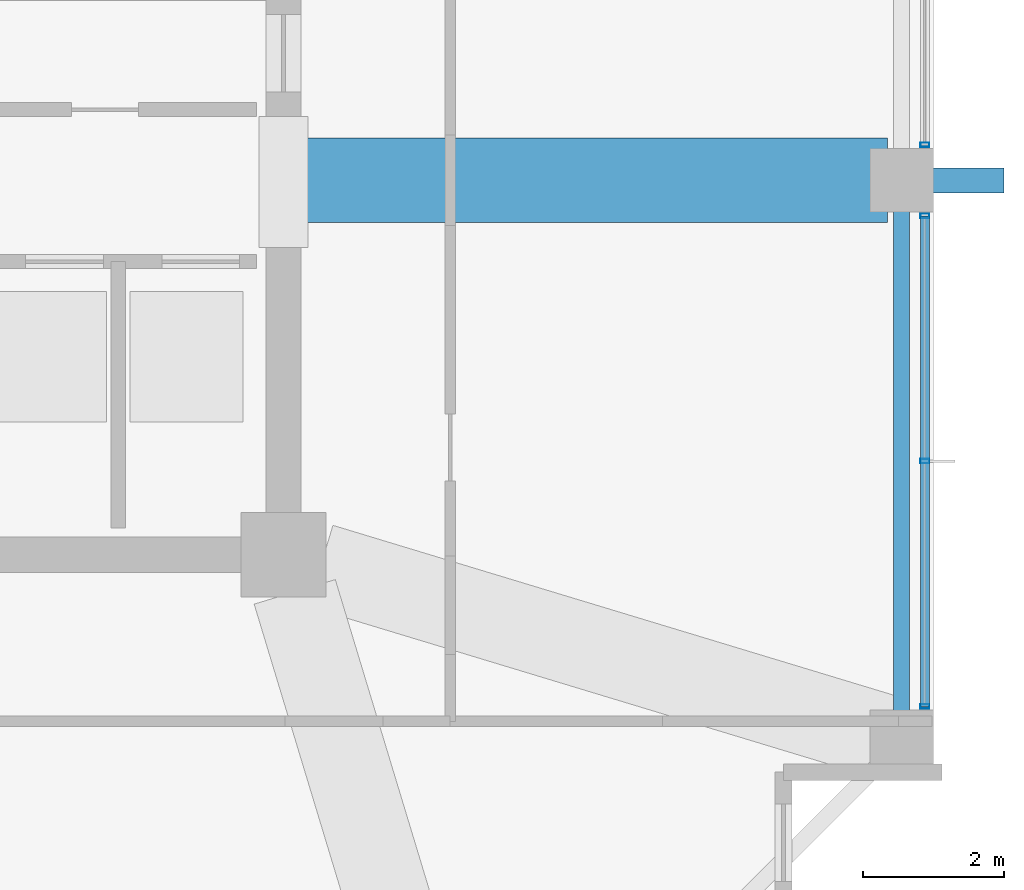
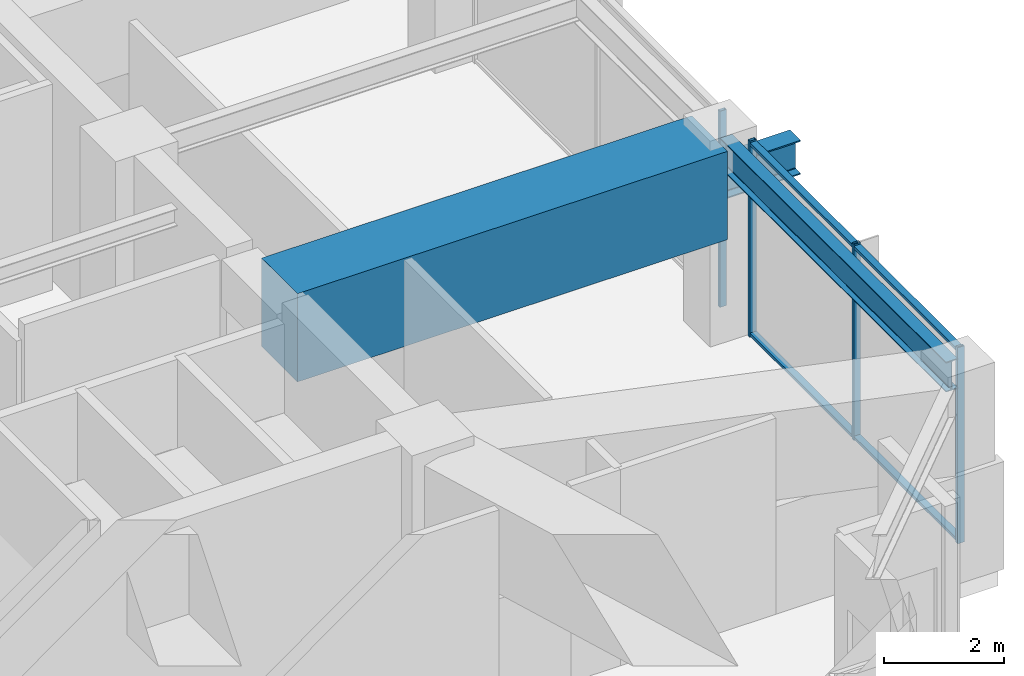
# One storey, part 12 of 33: 6 members, 3 beams, 2 elements without a shape of their own.
"""IFC4 building model written with IfcOpenShell, lengths in metres."""

from ifc_helpers import new_model, si_unit, direction, frame, origin, origin_2d, place, context, subcontext, project, spatial, rectangle, hollow_rectangle, i_section, extrude, material, material_profile, profile_set, type_object, element, aggregate, save


model = new_model("IFC4")

# Units and contexts
model_context = context("Model", 3, precision=1e-05, world=origin(), true_north=direction((0.0, 1.0)))
body_context = subcontext(model_context, "Body", "Model", "MODEL_VIEW")
ifc_project = project(units=[si_unit("LENGTHUNIT", "METRE"), si_unit("AREAUNIT", "SQUARE_METRE"), si_unit("VOLUMEUNIT", "CUBIC_METRE"), si_unit("PLANEANGLEUNIT", "RADIAN"), si_unit("MASSUNIT", "GRAM", prefix="KILO")], contexts=[model_context])

# Site, building, storey
site_placement = place(None, origin())
site = spatial("IfcSite", under=ifc_project, at=site_placement, CompositionType="ELEMENT")
building_placement = place(site_placement, origin())
building = spatial("IfcBuilding", under=site, at=building_placement, Name="Kolvaren Belvedere", CompositionType="ELEMENT")
storey_placement = place(building_placement, frame((0.0, 0.0, 152.699951171875)))
storey = spatial("IfcBuildingStorey", under=building, at=storey_placement, Name="L44", CompositionType="ELEMENT", Elevation=152.699951171875)

# Beams
ifc_material_1 = material(Name="Structural steel ASTM A992 Grade 50", Category="steel")
ifc_material_profile_1 = material_profile(ifc_material_1, i_section(OverallWidth=0.35498046875, OverallDepth=0.696044921875, WebThickness=0.015380859375, FlangeThickness=0.02490234375, FilletRadius=0.02197265625, at=origin_2d()), Name="W27X146")
ifc_profile_set_1 = profile_set([ifc_material_profile_1], Name="Structural steel ASTM A992 Grade 50")
beam_type_1 = type_object("IfcBeamType", Name="BM-CANT-BAL", PredefinedType="BEAM", material=ifc_profile_set_1)
beam_1_placement = place(storey_placement, frame((18.64990234375, -4.60009765625, 3.0419921875), z_axis=(1.0, 0.0, 0.0), x_axis=(0.0, 1.0, 0.0)))
element("IfcBeam", 1, at=beam_1_placement, inside=storey, type_object=beam_type_1, Name="L44 East Picture-Frame Column Corbel M", PredefinedType="BEAM", context=body_context, shape_type="SweptSolid", body=[
    extrude(i_section(OverallWidth=0.35498046875, OverallDepth=0.696044921875, WebThickness=0.015380859375, FlangeThickness=0.02490234375, FilletRadius=0.02197265625, at=origin_2d()), origin(), (0.0, 0.0, 1.0), 1.4501953125),
])
ifc_material_2 = material(Name="Structural steel ASTM A992 Grade 50", Category="steel")
ifc_material_profile_2 = material_profile(ifc_material_2, i_section(OverallWidth=0.22900390625, OverallDepth=0.612060546875, WebThickness=0.011962890625, FlangeThickness=0.01953125, FilletRadius=0.01806640625, at=origin_2d()), Name="W24X84")
ifc_profile_set_2 = profile_set([ifc_material_profile_2], Name="Structural steel ASTM A992 Grade 50")
beam_type_2 = type_object("IfcBeamType", Name="BM-SPAN-W24X84", PredefinedType="SPANDREL", material=ifc_profile_set_2)
beam_2_placement = place(storey_placement, frame((18.64990234375, -12.347412109375, 3.694091796875), z_axis=(0.0, 1.0, 0.0), x_axis=(-1.0, 0.0, 0.0)))
element("IfcBeam", 2, at=beam_2_placement, inside=storey, type_object=beam_type_2, Name="L44 Perimeter Spandrel E1-E2", PredefinedType="SPANDREL", context=body_context, shape_type="SweptSolid", body=[
    extrude(i_section(OverallWidth=0.22900390625, OverallDepth=0.612060546875, WebThickness=0.011962890625, FlangeThickness=0.01953125, FilletRadius=0.01806640625, at=origin_2d()), origin(), (0.0, 0.0, 1.0), 7.544921875),
])
ifc_material_3 = material(Name="Concrete C50/60", Category="concrete")
ifc_material_profile_3 = material_profile(ifc_material_3, rectangle(XDim=1.199951171875, YDim=1.800048828125, at=origin_2d()), Name="RC 1200X1800")
ifc_profile_set_3 = profile_set([ifc_material_profile_3], Name="Concrete C50/60")
beam_type_3 = type_object("IfcBeamType", Name="BM-TG-1800", PredefinedType="BEAM", material=ifc_profile_set_3)
beam_3_placement = place(storey_placement, frame((10.14990234375, -4.60009765625, 3.10009765625), z_axis=(1.0, 0.0, 0.0), x_axis=(0.0, 1.0, 0.0)))
element("IfcBeam", 3, at=beam_3_placement, inside=storey, type_object=beam_type_3, Name="L44 East Radial Girder M", PredefinedType="BEAM", context=body_context, shape_type="SweptSolid", body=[
    extrude(rectangle(XDim=1.199951171875, YDim=1.800048828125, at=origin_2d()), origin(), (0.0, 0.0, 1.0), 8.297607421875),
])

# Curtain wall, member
ifc_material_4 = material(Name="Anodised pale-metal aluminium AA 6063-T6", Category="aluminium")
curtain_wall_type = type_object("IfcCurtainWallType", Name="CW-Z3-WAIST", PredefinedType="NOTDEFINED", material=ifc_material_4)
curtain_wall_1_placement = place(storey_placement, origin())
curtain_wall_1 = element("IfcCurtainWall", 4, at=curtain_wall_1_placement, inside=storey, type_object=curtain_wall_type, Name="L44 Unitised Curtain Wall FCW-L44-E-B2", PredefinedType="NOTDEFINED")
ifc_material_5 = material(Name="Anodised pale-metal aluminium AA 6063-T6", Category="aluminium")
ifc_material_profile_4 = material_profile(ifc_material_5, hollow_rectangle(XDim=0.06494140625, YDim=0.1298828125, WallThickness=0.00390625, at=origin_2d()), Name="ALU-MUL-130X65")
ifc_profile_set_4 = profile_set([ifc_material_profile_4], Name="Anodised pale-metal aluminium AA 6063-T6")
member_type_1 = type_object("IfcMemberType", Name="CW-MUL-130", PredefinedType="MULLION", material=ifc_profile_set_4)
member_1_placement = place(storey_placement, frame((18.97998046875, -4.097412109375, 0.0), z_axis=(0.0, 0.0, 1.0), x_axis=(0.0, 1.0, 0.0)))
member_1 = element("IfcMember", 5, at=member_1_placement, type_object=member_type_1, Name="FCW-L44-E-B2 Unitised Mullion 3", PredefinedType="MULLION", context=body_context, shape_type="SweptSolid", body=[
    extrude(hollow_rectangle(XDim=0.06494140625, YDim=0.1298828125, WallThickness=0.00390625, at=origin_2d()), origin(), (0.0, 0.0, 1.0), 4.0),
])
aggregate(curtain_wall_1, [member_1])

# Curtain wall, members
curtain_wall_2_placement = place(storey_placement, origin())
curtain_wall_2 = element("IfcCurtainWall", 6, at=curtain_wall_2_placement, inside=storey, type_object=curtain_wall_type, Name="L44 Unitised Curtain Wall FCW-L44-E-B3", PredefinedType="NOTDEFINED")
member_2_placement = place(storey_placement, frame((18.97998046875, -5.1025390625, 0.0), z_axis=(0.0, 0.0, 1.0), x_axis=(0.0, 1.0, 0.0)))
member_2 = element("IfcMember", 7, at=member_2_placement, type_object=member_type_1, Name="FCW-L44-E-B3 Unitised Mullion 1", PredefinedType="MULLION", context=body_context, shape_type="SweptSolid", body=[
    extrude(hollow_rectangle(XDim=0.06494140625, YDim=0.1298828125, WallThickness=0.00390625, at=origin_2d()), origin(), (0.0, 0.0, 1.0), 4.0),
])
member_3_placement = place(storey_placement, frame((18.97998046875, -8.574951171875, 0.0), z_axis=(0.0, 0.0, 1.0), x_axis=(0.0, 1.0, 0.0)))
member_3 = element("IfcMember", 8, at=member_3_placement, type_object=member_type_1, Name="FCW-L44-E-B3 Unitised Mullion 2", PredefinedType="MULLION", context=body_context, shape_type="SweptSolid", body=[
    extrude(hollow_rectangle(XDim=0.06494140625, YDim=0.1298828125, WallThickness=0.00390625, at=origin_2d()), origin(), (0.0, 0.0, 1.0), 4.0),
])
member_4_placement = place(storey_placement, frame((18.97998046875, -12.047607421875, 0.0), z_axis=(0.0, 0.0, 1.0), x_axis=(0.0, 1.0, 0.0)))
member_4 = element("IfcMember", 9, at=member_4_placement, type_object=member_type_1, Name="FCW-L44-E-B3 Unitised Mullion 3", PredefinedType="MULLION", context=body_context, shape_type="SweptSolid", body=[
    extrude(hollow_rectangle(XDim=0.06494140625, YDim=0.1298828125, WallThickness=0.00390625, at=origin_2d()), origin(), (0.0, 0.0, 1.0), 4.0),
])
ifc_material_6 = material(Name="Anodised pale-metal aluminium AA 6063-T6", Category="aluminium")
ifc_material_profile_5 = material_profile(ifc_material_6, hollow_rectangle(XDim=0.06005859375, YDim=0.1298828125, WallThickness=0.00390625, at=origin_2d()), Name="ALU-TRN-130X60")
ifc_profile_set_5 = profile_set([ifc_material_profile_5], Name="Anodised pale-metal aluminium AA 6063-T6")
member_type_2 = type_object("IfcMemberType", Name="CW-TRN-130", PredefinedType="USERDEFINED", material=ifc_profile_set_5)
member_5_placement = place(storey_placement, frame((18.97998046875, -5.1025390625, 0.06005859375), z_axis=(0.0, -1.0, 0.0), x_axis=(0.0, 0.0, 1.0)))
member_5 = element("IfcMember", 10, at=member_5_placement, type_object=member_type_2, Name="FCW-L44-E-B3 Sill Transom", ObjectType="TRANSOM", PredefinedType="USERDEFINED", context=body_context, shape_type="SweptSolid", body=[
    extrude(hollow_rectangle(XDim=0.06005859375, YDim=0.1298828125, WallThickness=0.00390625, at=origin_2d()), origin(), (0.0, 0.0, 1.0), 6.945068359375),
])
member_6_placement = place(storey_placement, frame((18.97998046875, -5.1025390625, 3.93994140625), z_axis=(0.0, -1.0, 0.0), x_axis=(0.0, 0.0, 1.0)))
member_6 = element("IfcMember", 11, at=member_6_placement, type_object=member_type_2, Name="FCW-L44-E-B3 Head Transom", ObjectType="TRANSOM", PredefinedType="USERDEFINED", context=body_context, shape_type="SweptSolid", body=[
    extrude(hollow_rectangle(XDim=0.06005859375, YDim=0.1298828125, WallThickness=0.00390625, at=origin_2d()), origin(), (0.0, 0.0, 1.0), 6.945068359375),
])
aggregate(curtain_wall_2, [member_2, member_3, member_4, member_5, member_6])

save(model, "model.ifc")
